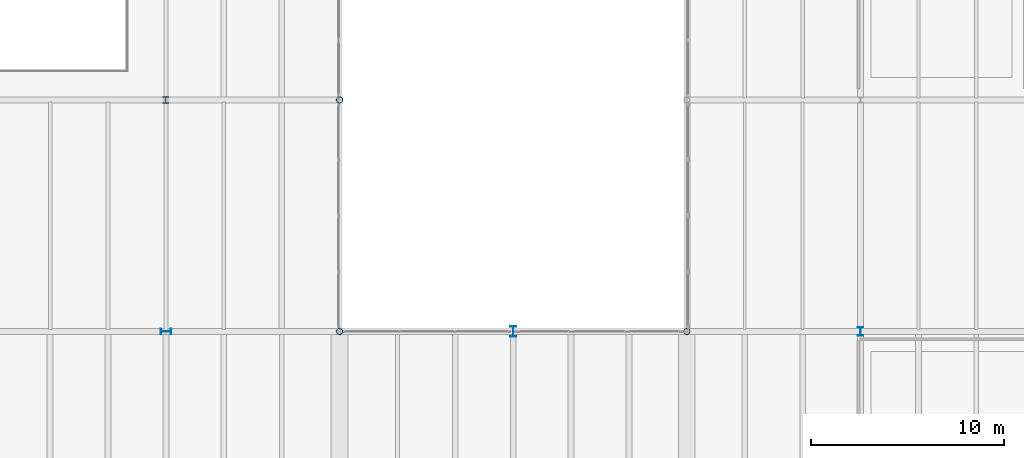
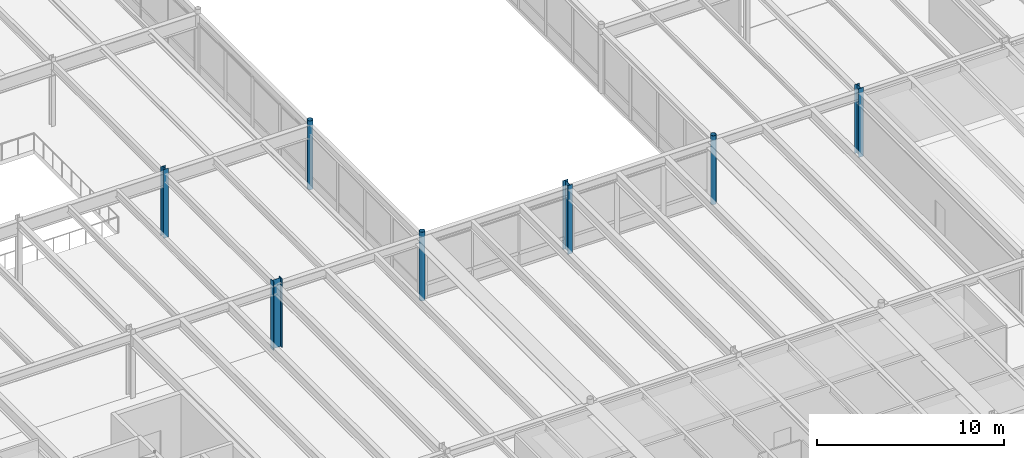
# One storey, part 6 of 127: 7 columns.
"""IFC4 building model written with IfcOpenShell, lengths in metres."""

from ifc_helpers import new_model, si_unit, direction, frame, origin, origin_2d, place, context, subcontext, project, spatial, hollow_circle, i_section, extrude, material, material_profile, profile_set, type_object, element, save


model = new_model("IFC4")

# Units and contexts
model_context = context("Model", 3, precision=1e-05, world=origin(), true_north=direction((0.0, 1.0)))
body_context = subcontext(model_context, "Body", "Model", "MODEL_VIEW")
ifc_project = project(units=[si_unit("LENGTHUNIT", "METRE"), si_unit("AREAUNIT", "SQUARE_METRE"), si_unit("VOLUMEUNIT", "CUBIC_METRE"), si_unit("PLANEANGLEUNIT", "RADIAN"), si_unit("MASSUNIT", "GRAM", prefix="KILO")], contexts=[model_context])

# Site, building, storey
site_placement = place(None, origin())
site = spatial("IfcSite", under=ifc_project, at=site_placement, CompositionType="ELEMENT")
building_placement = place(site_placement, origin())
building = spatial("IfcBuilding", under=site, at=building_placement, Name="Montelvaro Courts of Justice", CompositionType="ELEMENT")
storey_placement = place(building_placement, frame((0.0, 0.0, 5.39990234375)))
storey = spatial("IfcBuildingStorey", under=building, at=storey_placement, Name="L01", CompositionType="ELEMENT", Elevation=5.39990234375)

# Columns
ifc_material = material(Name="Steel S355", Category="steel")
ifc_material_profile_1 = material_profile(ifc_material, hollow_circle(Radius=0.161865234375, WallThickness=0.012451171875, at=origin_2d()), Name="CHS 323.9x12.5")
ifc_profile_set_1 = profile_set([ifc_material_profile_1], Name="Steel S355")
column_type_1 = type_object("IfcColumnType", Name="Col_CHS324", PredefinedType="PILASTER", material=ifc_profile_set_1)
for number, where, z_axis, x_axis, name in (
    (1, (81.0, 42.0, 0.0), (0.0, 0.0, 1.0), (1.0, 0.0, 0.0), "Column C-18 L01 10/D"),
    (2, (81.0, 54.0, 0.0), (0.0, 0.0, 1.0), (1.0, 0.0, 0.0), "Column C-18 L01 10/E"),
    (3, (99.0, 42.0, 0.0), (0.0, 0.0, 1.0), (1.0, 0.0, 0.0), "Column C-18 L01 12/D"),
):
    element("IfcColumn", number, at=place(storey_placement, frame(where, z_axis=z_axis, x_axis=x_axis)), inside=storey, type_object=column_type_1, Name=name, PredefinedType="PILASTER", context=body_context, shape_type="SweptSolid", body=[
        extrude(hollow_circle(Radius=0.161865234375, WallThickness=0.012451171875, at=origin_2d()), origin(), (0.0, 0.0, 1.0), 4.5),
    ])
ifc_material_profile_2 = material_profile(ifc_material, i_section(OverallWidth=0.300048828125, OverallDepth=0.320068359375, WebThickness=0.011474609375, FlangeThickness=0.0205078125, at=origin_2d()), Name="HEB 320")
ifc_profile_set_2 = profile_set([ifc_material_profile_2], Name="Steel S355")
column_type_2 = type_object("IfcColumnType", Name="Col_HEB320", PredefinedType="COLUMN", material=ifc_profile_set_2)
column_1_placement = place(storey_placement, frame((72.0, 54.0, 0.0), z_axis=(0.0, 0.0, 1.0), x_axis=(1.0, 0.0, 0.0)))
element("IfcColumn", 4, at=column_1_placement, inside=storey, type_object=column_type_2, Name="Column C-04 L01 9/E", PredefinedType="COLUMN", context=body_context, shape_type="SweptSolid", body=[
    extrude(i_section(OverallWidth=0.300048828125, OverallDepth=0.320068359375, WebThickness=0.011474609375, FlangeThickness=0.0205078125, at=origin_2d()), origin(), (0.0, 0.0, 1.0), 4.5),
])
ifc_material_profile_3 = material_profile(ifc_material, i_section(OverallWidth=0.300048828125, OverallDepth=0.449951171875, WebThickness=0.013916015625, FlangeThickness=0.02587890625, at=origin_2d()), Name="HEB 450")
ifc_profile_set_3 = profile_set([ifc_material_profile_3], Name="Steel S355")
column_type_3 = type_object("IfcColumnType", Name="Col_HEB450", PredefinedType="COLUMN", material=ifc_profile_set_3)
column_2_placement = place(storey_placement, frame((108.0, 42.0, 0.0), z_axis=(0.0, 0.0, 1.0), x_axis=(1.0, 0.0, 0.0)))
element("IfcColumn", 5, at=column_2_placement, inside=storey, type_object=column_type_3, Name="Column C-08 L01 13/D", PredefinedType="COLUMN", context=body_context, shape_type="SweptSolid", body=[
    extrude(i_section(OverallWidth=0.300048828125, OverallDepth=0.449951171875, WebThickness=0.013916015625, FlangeThickness=0.02587890625, at=origin_2d()), origin(), (0.0, 0.0, 1.0), 4.5),
])
ifc_material_profile_4 = material_profile(ifc_material, i_section(OverallWidth=0.300048828125, OverallDepth=0.550048828125, WebThickness=0.014892578125, FlangeThickness=0.029052734375, at=origin_2d()), Name="HEB 550")
ifc_profile_set_4 = profile_set([ifc_material_profile_4], Name="Steel S355")
column_type_4 = type_object("IfcColumnType", Name="Col_HEB550", PredefinedType="COLUMN", material=ifc_profile_set_4)
for number, where, z_axis, x_axis, name in (
    (6, (72.0, 42.0, 0.0), (0.0, 0.0, 1.0), (0.0, 1.0, 0.0), "Column C-10 L01 9/D"),
    (7, (90.0, 42.0, 0.0), (0.0, 0.0, 1.0), (1.0, 0.0, 0.0), "Column C-10 L01 11/D"),
):
    element("IfcColumn", number, at=place(storey_placement, frame(where, z_axis=z_axis, x_axis=x_axis)), inside=storey, type_object=column_type_4, Name=name, PredefinedType="COLUMN", context=body_context, shape_type="SweptSolid", body=[
        extrude(i_section(OverallWidth=0.300048828125, OverallDepth=0.550048828125, WebThickness=0.014892578125, FlangeThickness=0.029052734375, at=origin_2d()), origin(), (0.0, 0.0, 1.0), 4.5),
    ])

save(model, "model.ifc")
